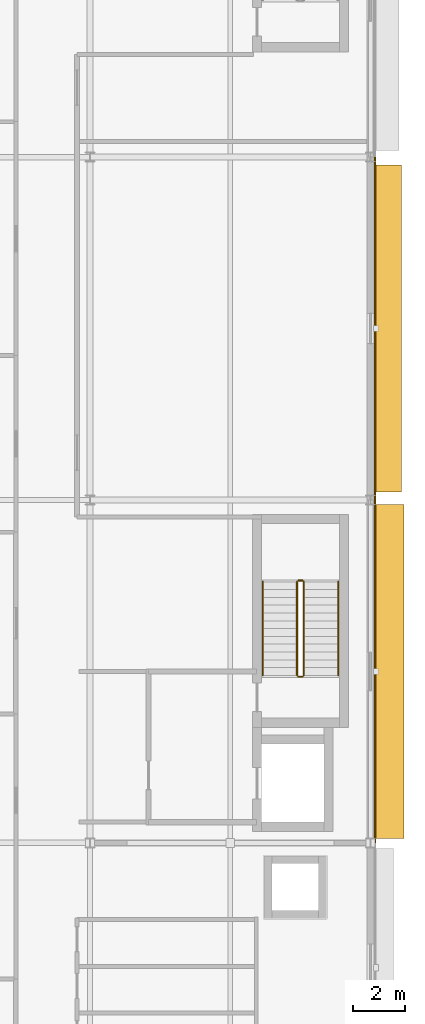
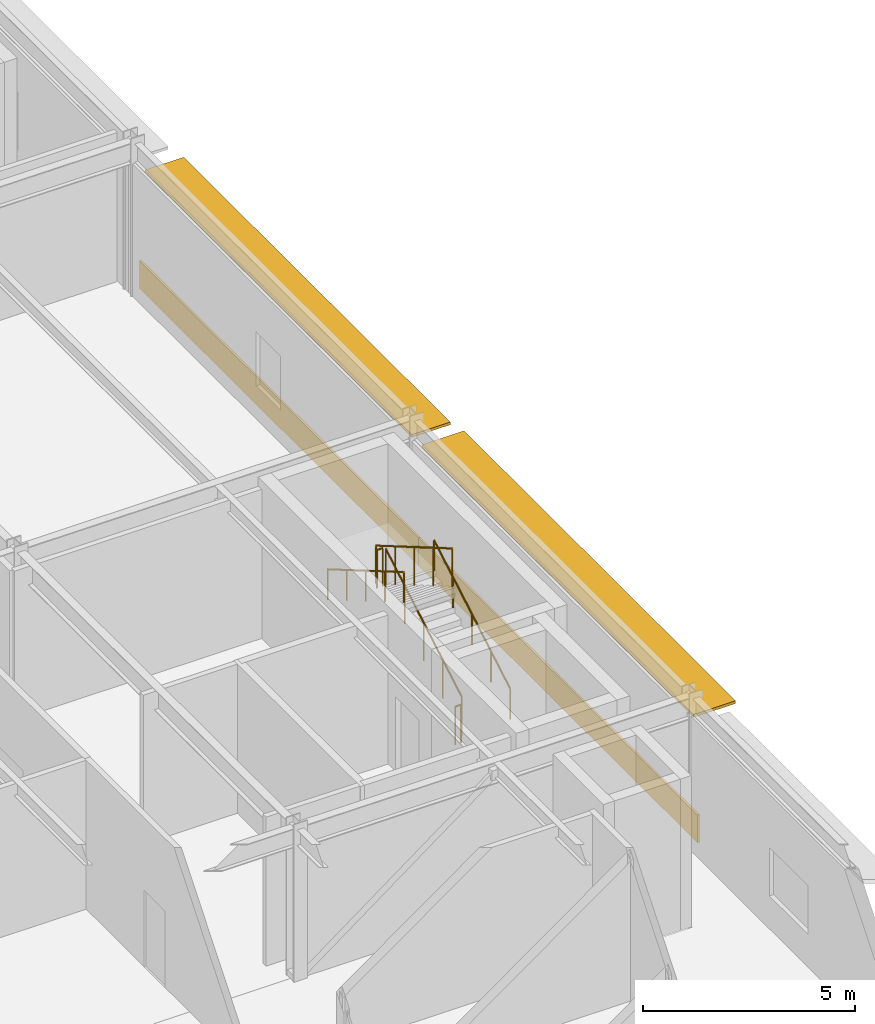
# One storey, part 88 of 89: 6 railings, 2 coverings, 2 shading devices.
"""IFC4 building model written with IfcOpenShell, lengths in metres."""

from ifc_helpers import new_model, si_unit, direction, frame, origin, origin_2d, place, context, subcontext, project, spatial, rectangle, circle, extrude, material, layer, layer_set, type_object, element, save


model = new_model("IFC4")

# Units and contexts
model_context = context("Model", 3, precision=1e-05, world=origin(), true_north=direction((0.0, 1.0)))
body_context = subcontext(model_context, "Body", "Model", "MODEL_VIEW")
ifc_project = project(units=[si_unit("LENGTHUNIT", "METRE"), si_unit("AREAUNIT", "SQUARE_METRE"), si_unit("VOLUMEUNIT", "CUBIC_METRE"), si_unit("PLANEANGLEUNIT", "RADIAN"), si_unit("MASSUNIT", "GRAM", prefix="KILO")], contexts=[model_context])

# Site, building, storey
site_placement = place(None, origin())
site = spatial("IfcSite", under=ifc_project, at=site_placement, CompositionType="ELEMENT")
building_placement = place(site_placement, origin())
building = spatial("IfcBuilding", under=site, at=building_placement, Name="Almandine Court Research Institute", CompositionType="ELEMENT")
storey_placement = place(building_placement, frame((0.0, 0.0, 18.89990234375)))
storey = spatial("IfcBuildingStorey", under=building, at=storey_placement, Name="L04", CompositionType="ELEMENT", Elevation=18.89990234375)

# Coverings
ifc_material_1 = material(Name="Extruded Cream-Ochre Seismic Terracotta Spandrel", Category="masonry")
ifc_layer_1 = layer(ifc_material_1, 0.054931640625)
ifc_layer_set_1 = layer_set([ifc_layer_1], Name="Extruded Cream-Ochre Seismic Terracotta Spandrel")
covering_type = type_object("IfcCoveringType", Name="Cov-CLAD-TERR", PredefinedType="CLADDING", material=ifc_layer_set_1)
for number, where, z_axis, x_axis, name in (
    (1, (174.1708984375, 64.199951171875, 0.02001953125), (0.0, 0.0, 1.0), (0.0, -1.0, 0.0), "L04 Facade Spandrel Cladding Band 178"),
    (2, (174.1708984375, 51.0, 0.02001953125), (0.0, 0.0, 1.0), (0.0, -1.0, 0.0), "L04 Facade Spandrel Cladding Band 179"),
):
    element("IfcCovering", number, at=place(storey_placement, frame(where, z_axis=z_axis, x_axis=x_axis)), inside=storey, type_object=covering_type, Name=name, PredefinedType="CLADDING", context=body_context, shape_type="SweptSolid", body=[
        extrude(rectangle(XDim=13.19189453125, YDim=0.054931640625, at=origin_2d()), origin(), (0.0, 0.0, 1.0), 0.800048828125),
    ])

# Railings
ifc_material_2 = material(Name="Powder-Coated Steel Stair and Atrium Balustrade", Category="steel")
railing_type_1 = type_object("IfcRailingType", Name="Rail-GUARD-INT", PredefinedType="BALUSTRADE", material=ifc_material_2)
railing_1_placement = place(storey_placement, frame((171.429931640625, 50.85009765625, 0.175048828125)))
element("IfcRailing", 3, at=railing_1_placement, inside=storey, type_object=railing_type_1, Name="L04 ST-08 stair guard 1", PredefinedType="BALUSTRADE", context=body_context, shape_type="SweptSolid", body=[
    extrude(circle(Radius=0.02392578125, at=origin_2d()), frame((0.0, 0.0, 1.09619140625), z_axis=(0.0, 0.863759778359, 0.503903805591), x_axis=(-1.0, 0.0, 0.0)), (0.0, 0.0, 1.0), 4.167724609375),
    extrude(circle(Radius=0.02099609375, at=origin_2d()), origin(), (0.0, 0.0, 1.0), 1.072021484375),
    extrude(circle(Radius=0.02099609375, at=origin_2d()), frame((0.0, 0.89990234375, 0.52490234375)), (0.0, 0.0, 1.0), 1.072021484375),
    extrude(circle(Radius=0.02099609375, at=origin_2d()), frame((0.0, 1.7998046875, 1.050048828125)), (0.0, 0.0, 1.0), 1.072021484375),
    extrude(circle(Radius=0.02099609375, at=origin_2d()), frame((0.0, 2.699951171875, 1.5751953125)), (0.0, 0.0, 1.0), 1.072021484375),
    extrude(circle(Radius=0.02099609375, at=origin_2d()), frame((0.0, 3.599853515625, 2.10009765625)), (0.0, 0.0, 1.0), 1.072021484375),
])
railing_2_placement = place(storey_placement, frame((171.3798828125, 54.5, 2.275146484375)))
element("IfcRailing", 4, at=railing_2_placement, inside=storey, type_object=railing_type_1, Name="L04 ST-08 stair guard 2", PredefinedType="BALUSTRADE", context=body_context, shape_type="SweptSolid", body=[
    extrude(circle(Radius=0.02392578125, at=origin_2d()), frame((0.0, 0.0, 1.09619140625), z_axis=(-1.0, 0.0, 0.0), x_axis=(0.0, -1.0, 0.0)), (0.0, 0.0, 1.0), 0.159912109375),
    extrude(circle(Radius=0.02099609375, at=origin_2d()), origin(), (0.0, 0.0, 1.0), 1.072021484375),
    extrude(circle(Radius=0.02099609375, at=origin_2d()), frame((-0.159912109375, 0.0, 0.0)), (0.0, 0.0, 1.0), 1.072021484375),
])
railing_3_placement = place(storey_placement, frame((171.169921875, 54.449951171875, 2.4501953125)))
element("IfcRailing", 5, at=railing_3_placement, inside=storey, type_object=railing_type_1, Name="L04 ST-08 stair guard 3", PredefinedType="BALUSTRADE", context=body_context, shape_type="SweptSolid", body=[
    extrude(circle(Radius=0.02392578125, at=origin_2d()), frame((0.0, 0.0, 1.09619140625), z_axis=(0.0, -0.86378527499, 0.503860098351), x_axis=(1.0, 0.0, 0.0)), (0.0, 0.0, 1.0), 4.16748046875),
    extrude(circle(Radius=0.02099609375, at=origin_2d()), origin(), (0.0, 0.0, 1.0), 1.072021484375),
    extrude(circle(Radius=0.02099609375, at=origin_2d()), frame((0.0, -0.89990234375, 0.52490234375)), (0.0, 0.0, 1.0), 1.072021484375),
    extrude(circle(Radius=0.02099609375, at=origin_2d()), frame((0.0, -1.7998046875, 1.0498046875)), (0.0, 0.0, 1.0), 1.072021484375),
    extrude(circle(Radius=0.02099609375, at=origin_2d()), frame((0.0, -2.699951171875, 1.574951171875)), (0.0, 0.0, 1.0), 1.072021484375),
    extrude(circle(Radius=0.02099609375, at=origin_2d()), frame((0.0, -3.599853515625, 2.099853515625)), (0.0, 0.0, 1.0), 1.072021484375),
])
railing_4_placement = place(storey_placement, frame((171.3798828125, 50.800048828125, 0.0)))
element("IfcRailing", 6, at=railing_4_placement, inside=storey, type_object=railing_type_1, Name="L04 ST-08 stair guard 4", PredefinedType="BALUSTRADE", context=body_context, shape_type="SweptSolid", body=[
    extrude(circle(Radius=0.02392578125, at=origin_2d()), frame((0.0, 0.0, 1.09619140625), z_axis=(-1.0, 0.0, 0.0), x_axis=(0.0, -1.0, 0.0)), (0.0, 0.0, 1.0), 0.159912109375),
    extrude(circle(Radius=0.02099609375, at=origin_2d()), origin(), (0.0, 0.0, 1.0), 1.072021484375),
    extrude(circle(Radius=0.02099609375, at=origin_2d()), frame((-0.159912109375, 0.0, 0.0)), (0.0, 0.0, 1.0), 1.072021484375),
])
ifc_material_3 = material(Name="Brushed Stainless Steel Wall Handrail", Category="steel")
railing_type_2 = type_object("IfcRailingType", Name="Rail-HAND-INT", PredefinedType="HANDRAIL", material=ifc_material_3)
railing_5_placement = place(storey_placement, frame((172.75, 50.85009765625, 0.175048828125)))
element("IfcRailing", 7, at=railing_5_placement, inside=storey, type_object=railing_type_2, Name="L04 ST-08 stair handrail 1", PredefinedType="HANDRAIL", context=body_context, shape_type="SweptSolid", body=[
    extrude(circle(Radius=0.02392578125, at=origin_2d()), frame((0.0, 0.0, 0.8759765625), z_axis=(0.0, 0.863759778359, 0.503903805591), x_axis=(-1.0, 0.0, 0.0)), (0.0, 0.0, 1.0), 4.167724609375),
    extrude(circle(Radius=0.02099609375, at=origin_2d()), origin(), (0.0, 0.0, 1.0), 0.851806640625),
    extrude(circle(Radius=0.02099609375, at=origin_2d()), frame((0.0, 0.89990234375, 0.52490234375)), (0.0, 0.0, 1.0), 0.851806640625),
    extrude(circle(Radius=0.02099609375, at=origin_2d()), frame((0.0, 1.7998046875, 1.050048828125)), (0.0, 0.0, 1.0), 0.851806640625),
    extrude(circle(Radius=0.02099609375, at=origin_2d()), frame((0.0, 2.699951171875, 1.5751953125)), (0.0, 0.0, 1.0), 0.851806640625),
    extrude(circle(Radius=0.02099609375, at=origin_2d()), frame((0.0, 3.599853515625, 2.10009765625)), (0.0, 0.0, 1.0), 0.851806640625),
])
railing_6_placement = place(storey_placement, frame((169.85009765625, 54.449951171875, 2.4501953125)))
element("IfcRailing", 8, at=railing_6_placement, inside=storey, type_object=railing_type_2, Name="L04 ST-08 stair handrail 2", PredefinedType="HANDRAIL", context=body_context, shape_type="SweptSolid", body=[
    extrude(circle(Radius=0.02392578125, at=origin_2d()), frame((0.0, 0.0, 0.8759765625), z_axis=(0.0, -0.86378527499, 0.503860098351), x_axis=(1.0, 0.0, 0.0)), (0.0, 0.0, 1.0), 4.16748046875),
    extrude(circle(Radius=0.02099609375, at=origin_2d()), origin(), (0.0, 0.0, 1.0), 0.851806640625),
    extrude(circle(Radius=0.02099609375, at=origin_2d()), frame((0.0, -0.89990234375, 0.52490234375)), (0.0, 0.0, 1.0), 0.851806640625),
    extrude(circle(Radius=0.02099609375, at=origin_2d()), frame((0.0, -1.7998046875, 1.0498046875)), (0.0, 0.0, 1.0), 0.851806640625),
    extrude(circle(Radius=0.02099609375, at=origin_2d()), frame((0.0, -2.699951171875, 1.574951171875)), (0.0, 0.0, 1.0), 0.851806640625),
    extrude(circle(Radius=0.02099609375, at=origin_2d()), frame((0.0, -3.599853515625, 2.099853515625)), (0.0, 0.0, 1.0), 0.851806640625),
])

# Shading devices
ifc_material_4 = material(Name="Precast GFRC Chhajja Sunshade and Acoustic Louvre", Category="concrete")
ifc_layer_2 = layer(ifc_material_4, 0.080078125)
ifc_layer_set_2 = layer_set([ifc_layer_2], Name="Precast GFRC Chhajja Sunshade and Acoustic Louvre")
shading_device_type_1 = type_object("IfcShadingDeviceType", Name="Shd-SD-68", PredefinedType="AWNING", material=ifc_layer_set_2)
shading_device_1_placement = place(storey_placement, frame((174.659912109375, 64.199951171875, 3.5361328125), z_axis=(0.0, 0.0, 1.0), x_axis=(0.0, -1.0, 0.0)))
element("IfcShadingDevice", 9, at=shading_device_1_placement, inside=storey, type_object=shading_device_type_1, Name="L04 Projecting Chhajja Sunshade 123", PredefinedType="AWNING", context=body_context, shape_type="SweptSolid", body=[
    extrude(rectangle(XDim=12.60205078125, YDim=1.050048828125, at=origin_2d()), origin(), (0.0, 0.0, 1.0), 0.080078125),
])
ifc_layer_3 = layer(ifc_material_4, 0.080078125)
ifc_layer_set_3 = layer_set([ifc_layer_3], Name="Precast GFRC Chhajja Sunshade and Acoustic Louvre")
shading_device_type_2 = type_object("IfcShadingDeviceType", Name="Shd-SD-69", PredefinedType="AWNING", material=ifc_layer_set_3)
shading_device_2_placement = place(storey_placement, frame((174.7099609375, 51.0, 3.5361328125), z_axis=(0.0, 0.0, 1.0), x_axis=(0.0, -1.0, 0.0)))
element("IfcShadingDevice", 10, at=shading_device_2_placement, inside=storey, type_object=shading_device_type_2, Name="L04 Projecting Chhajja Sunshade 124", PredefinedType="AWNING", context=body_context, shape_type="SweptSolid", body=[
    extrude(rectangle(XDim=12.842041015625, YDim=1.14990234375, at=origin_2d()), origin(), (0.0, 0.0, 1.0), 0.080078125),
])

save(model, "model.ifc")
